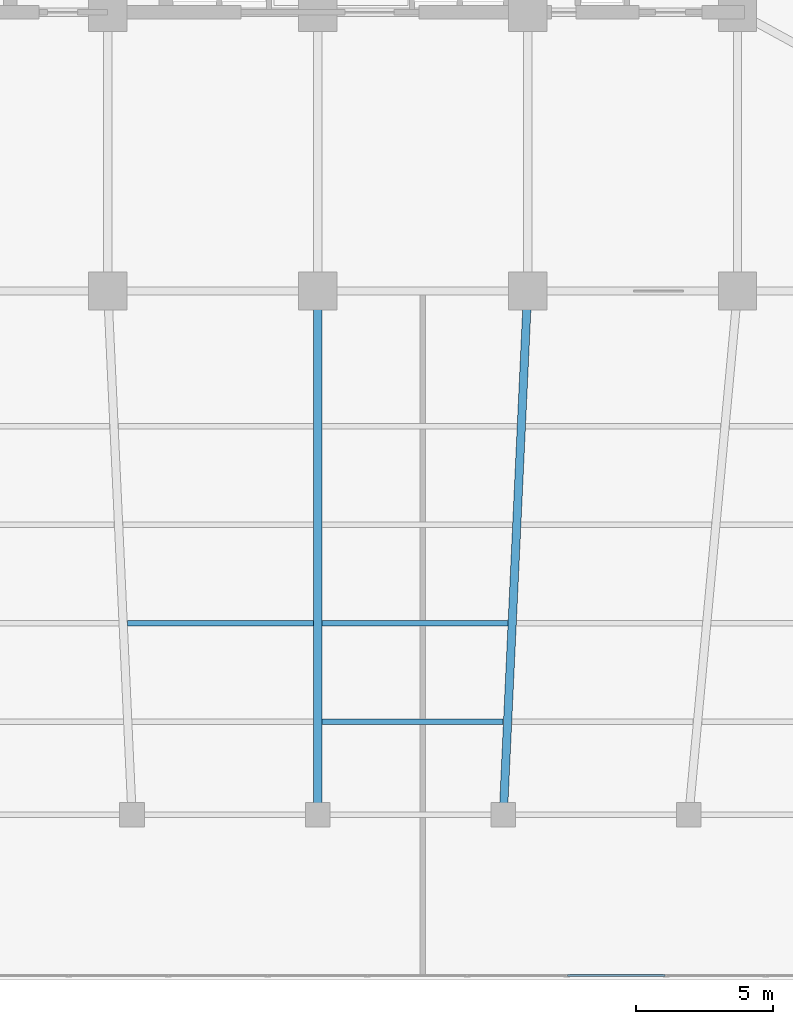
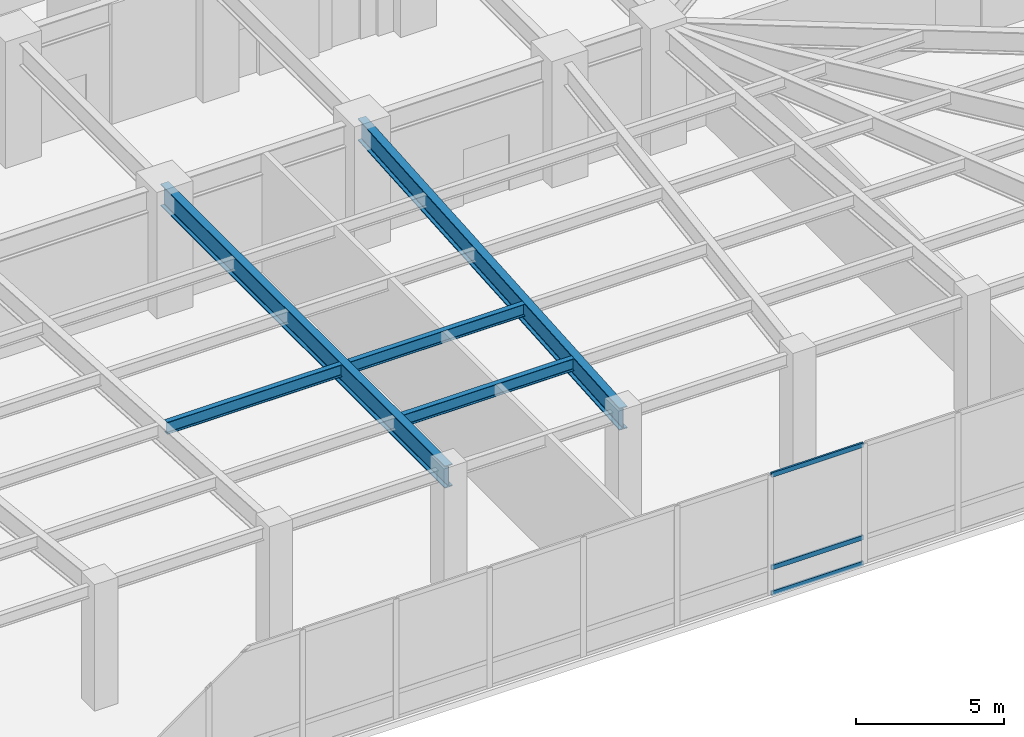
# One storey, part 7 of 19: 5 beams, 3 members, 1 element without a shape of its own.
"""IFC4 building model written with IfcOpenShell, lengths in metres."""

from ifc_helpers import new_model, si_unit, direction, frame, origin, origin_2d, place, context, subcontext, project, spatial, hollow_rectangle, i_section, extrude, material, material_profile, profile_set, type_object, element, aggregate, save


model = new_model("IFC4")

# Units and contexts
model_context = context("Model", 3, precision=1e-05, world=origin(), true_north=direction((0.0, 1.0)))
body_context = subcontext(model_context, "Body", "Model", "MODEL_VIEW")
ifc_project = project(units=[si_unit("LENGTHUNIT", "METRE"), si_unit("AREAUNIT", "SQUARE_METRE"), si_unit("VOLUMEUNIT", "CUBIC_METRE"), si_unit("PLANEANGLEUNIT", "RADIAN"), si_unit("MASSUNIT", "GRAM", prefix="KILO")], contexts=[model_context])

# Site, building, storey
site_placement = place(None, origin())
site = spatial("IfcSite", under=ifc_project, at=site_placement, CompositionType="ELEMENT")
building_placement = place(site_placement, origin())
building = spatial("IfcBuilding", under=site, at=building_placement, Name="Yelkora Congress Tower", CompositionType="ELEMENT")
storey_placement = place(building_placement, frame((0.0, 0.0, 5.199951171875)))
storey = spatial("IfcBuildingStorey", under=building, at=storey_placement, Name="L01", CompositionType="ELEMENT", Elevation=5.199951171875)

# Beams
ifc_material_1 = material(Name="Steel S460M", Category="steel")
ifc_material_profile_1 = material_profile(ifc_material_1, i_section(OverallWidth=0.302001953125, OverallDepth=0.909912109375, WebThickness=0.02099609375, FlangeThickness=0.0400390625, FilletRadius=0.030029296875, at=origin_2d()), Name="HEM 900")
ifc_profile_set_1 = profile_set([ifc_material_profile_1], Name="Steel S460M")
beam_type_1 = type_object("IfcBeamType", Name="BM-HALL-HEM900", PredefinedType="BEAM", material=ifc_profile_set_1)
beam_1_placement = place(storey_placement, frame((38.39990234375, 6.050048828125, 4.485107421875), z_axis=(0.0, 1.0, 0.0), x_axis=(-1.0, 0.0, 0.0)))
element("IfcBeam", 1, at=beam_1_placement, inside=storey, type_object=beam_type_1, Name="L01 Primary Frame Girder PS06", PredefinedType="BEAM", context=body_context, shape_type="SweptSolid", body=[
    extrude(i_section(OverallWidth=0.302001953125, OverallDepth=0.909912109375, WebThickness=0.02099609375, FlangeThickness=0.0400390625, FilletRadius=0.030029296875, at=origin_2d()), origin(), (0.0, 0.0, 1.0), 19.14990234375),
])
beam_2_placement = place(storey_placement, frame((45.18994140625, 6.050048828125, 4.485107421875), z_axis=(0.046432437641, 0.998921432714, 0.0), x_axis=(-0.998921432714, 0.046432437641, 0.0)))
element("IfcBeam", 2, at=beam_2_placement, inside=storey, type_object=beam_type_1, Name="L01 Primary Frame Girder PS07", PredefinedType="BEAM", context=body_context, shape_type="SweptSolid", body=[
    extrude(i_section(OverallWidth=0.302001953125, OverallDepth=0.909912109375, WebThickness=0.02099609375, FlangeThickness=0.0400390625, FilletRadius=0.030029296875, at=origin_2d()), origin(), (0.0, 0.0, 1.0), 19.170654296875),
])
ifc_material_2 = material(Name="Steel S355J2", Category="steel")
ifc_material_profile_2 = material_profile(ifc_material_2, i_section(OverallWidth=0.199951171875, OverallDepth=0.5, WebThickness=0.01025390625, FlangeThickness=0.01611328125, FilletRadius=0.02099609375, at=origin_2d()), Name="IPE 500")
ifc_profile_set_2 = profile_set([ifc_material_profile_2], Name="Steel S355J2")
beam_type_2 = type_object("IfcBeamType", Name="BM-JOIST-IPE500", PredefinedType="JOIST", material=ifc_profile_set_2)
beam_3_placement = place(storey_placement, frame((38.56005859375, 9.449951171875, 4.68994140625), z_axis=(1.0, 0.0, 0.0), x_axis=(0.0, 1.0, 0.0)))
element("IfcBeam", 3, at=beam_3_placement, inside=storey, type_object=beam_type_2, Name="L01 Composite Floor Joist 6", PredefinedType="JOIST", context=body_context, shape_type="SweptSolid", body=[
    extrude(i_section(OverallWidth=0.199951171875, OverallDepth=0.5, WebThickness=0.01025390625, FlangeThickness=0.01611328125, FilletRadius=0.02099609375, at=origin_2d()), origin(), (0.0, 0.0, 1.0), 6.6279296875),
])
beam_4_placement = place(storey_placement, frame((31.444580078125, 13.050048828125, 4.68994140625), z_axis=(1.0, 0.0, 0.0), x_axis=(0.0, 1.0, 0.0)))
element("IfcBeam", 4, at=beam_4_placement, inside=storey, type_object=beam_type_2, Name="L01 Composite Floor Joist 15", PredefinedType="JOIST", context=body_context, shape_type="SweptSolid", body=[
    extrude(i_section(OverallWidth=0.199951171875, OverallDepth=0.5, WebThickness=0.01025390625, FlangeThickness=0.01611328125, FilletRadius=0.02099609375, at=origin_2d()), origin(), (0.0, 0.0, 1.0), 6.79541015625),
])
beam_5_placement = place(storey_placement, frame((38.56005859375, 13.050048828125, 4.68994140625), z_axis=(1.0, 0.0, 0.0), x_axis=(0.0, 1.0, 0.0)))
element("IfcBeam", 5, at=beam_5_placement, inside=storey, type_object=beam_type_2, Name="L01 Composite Floor Joist 16", PredefinedType="JOIST", context=body_context, shape_type="SweptSolid", body=[
    extrude(i_section(OverallWidth=0.199951171875, OverallDepth=0.5, WebThickness=0.01025390625, FlangeThickness=0.01611328125, FilletRadius=0.02099609375, at=origin_2d()), origin(), (0.0, 0.0, 1.0), 6.795166015625),
])

# Curtain wall, members
ifc_material_3 = material(Name="Anodised aluminium and insulated glass", Category="aluminium")
curtain_wall_type = type_object("IfcCurtainWallType", Name="CW-SYS-POD", PredefinedType="NOTDEFINED", material=ifc_material_3)
curtain_wall_placement = place(storey_placement, origin())
curtain_wall = element("IfcCurtainWall", 6, at=curtain_wall_placement, inside=storey, type_object=curtain_wall_type, Name="L01 Podium South Curtain Wall", PredefinedType="NOTDEFINED")
ifc_material_4 = material(Name="Anodised aluminium 6063-T6", Category="aluminium")
ifc_material_profile_3 = material_profile(ifc_material_4, hollow_rectangle(XDim=0.070068359375, YDim=0.18994140625, WallThickness=0.00390625, at=origin_2d()), Name="ALU 70x190x4")
ifc_profile_set_3 = profile_set([ifc_material_profile_3], Name="Anodised aluminium 6063-T6")
member_type = type_object("IfcMemberType", Name="MEM-TR-POD", PredefinedType="USERDEFINED", material=ifc_profile_set_3)
member_1_placement = place(storey_placement, frame((51.109130859375, 0.159912109375, 0.03515625), z_axis=(-1.0, 0.0, 0.0), x_axis=(0.0, -1.0, 0.0)))
member_1 = element("IfcMember", 7, at=member_1_placement, type_object=member_type, Name="CW-POD transom 8.1", ObjectType="TRANSOM", PredefinedType="USERDEFINED", context=body_context, shape_type="SweptSolid", body=[
    extrude(hollow_rectangle(XDim=0.070068359375, YDim=0.18994140625, WallThickness=0.00390625, at=origin_2d()), origin(), (0.0, 0.0, 1.0), 3.56689453125),
])
member_2_placement = place(storey_placement, frame((51.109130859375, 0.159912109375, 1.10009765625), z_axis=(-1.0, 0.0, 0.0), x_axis=(0.0, -1.0, 0.0)))
member_2 = element("IfcMember", 8, at=member_2_placement, type_object=member_type, Name="CW-POD transom 8.2", ObjectType="TRANSOM", PredefinedType="USERDEFINED", context=body_context, shape_type="SweptSolid", body=[
    extrude(hollow_rectangle(XDim=0.070068359375, YDim=0.18994140625, WallThickness=0.00390625, at=origin_2d()), origin(), (0.0, 0.0, 1.0), 3.56689453125),
])
member_3_placement = place(storey_placement, frame((51.109130859375, 0.159912109375, 4.905029296875), z_axis=(-1.0, 0.0, 0.0), x_axis=(0.0, -1.0, 0.0)))
member_3 = element("IfcMember", 9, at=member_3_placement, type_object=member_type, Name="CW-POD transom 8.3", ObjectType="TRANSOM", PredefinedType="USERDEFINED", context=body_context, shape_type="SweptSolid", body=[
    extrude(hollow_rectangle(XDim=0.070068359375, YDim=0.18994140625, WallThickness=0.00390625, at=origin_2d()), origin(), (0.0, 0.0, 1.0), 3.56689453125),
])
aggregate(curtain_wall, [member_1, member_2, member_3])

save(model, "model.ifc")
